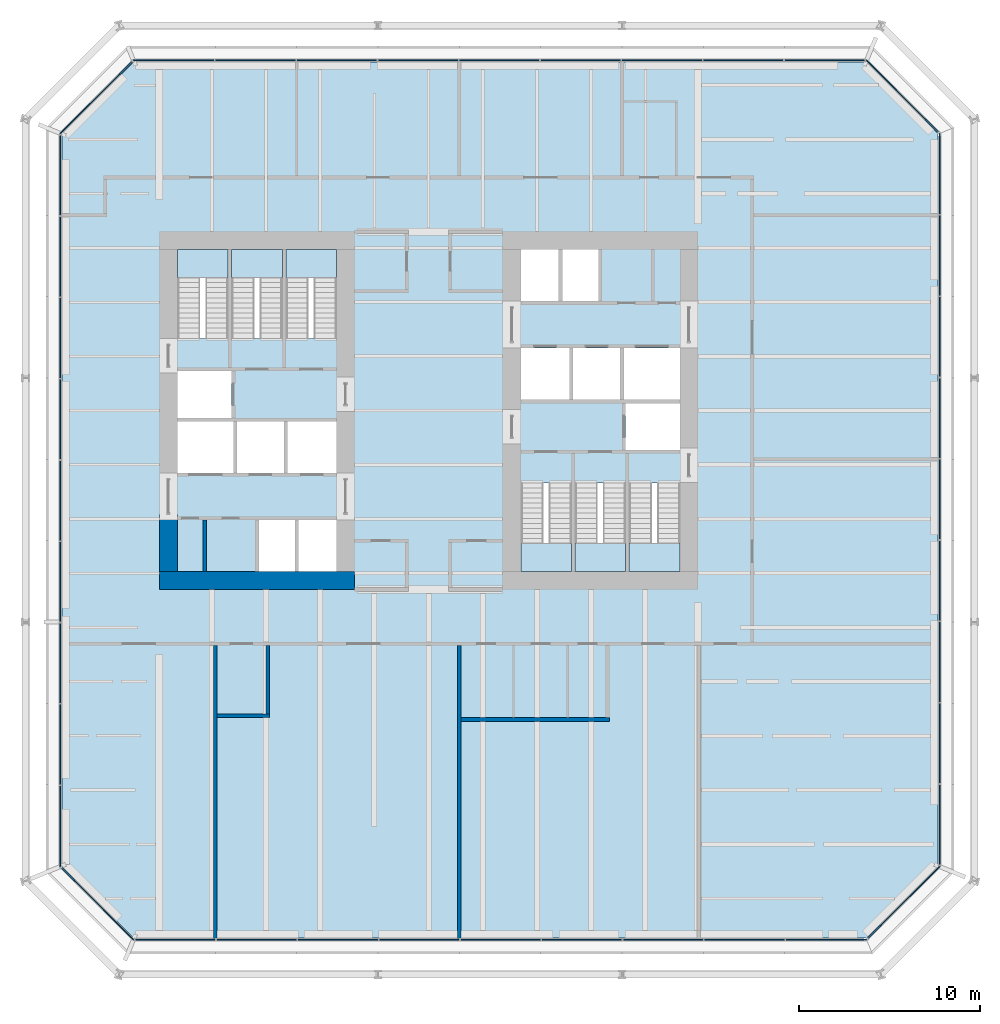
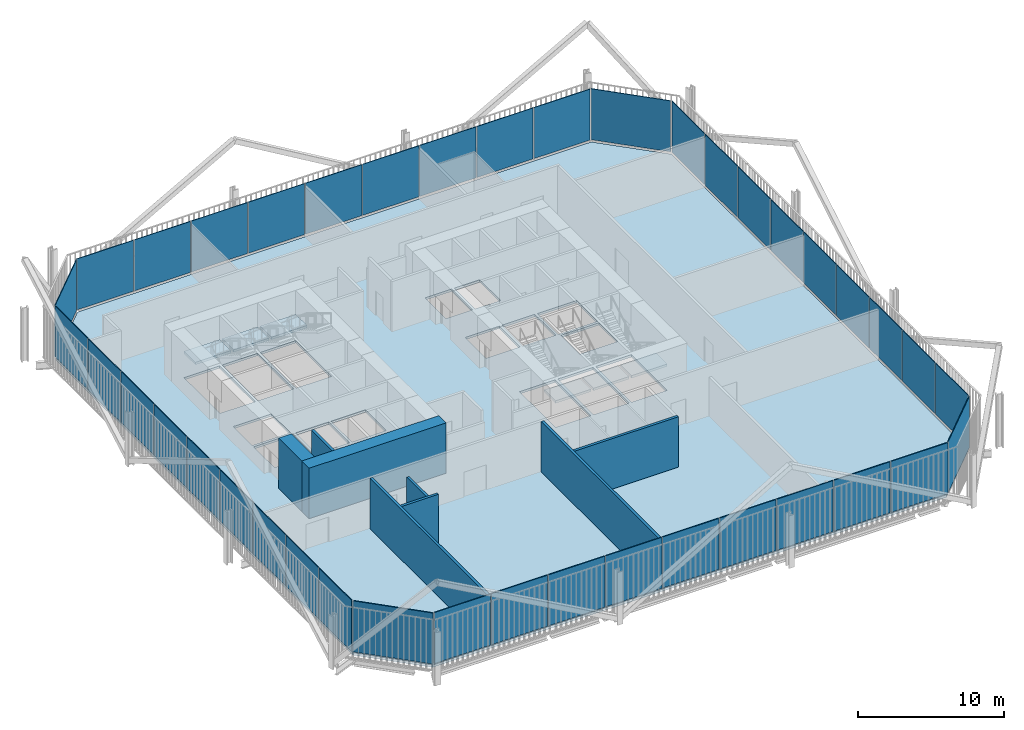
# One storey, part 16 of 21: 40 plates, 8 walls, 7 slabs, 14 elements without a shape of their own.
"""IFC4 building model written with IfcOpenShell, lengths in metres."""

from ifc_helpers import new_model, si_unit, direction, frame, frame_2d, origin, place, context, subcontext, project, spatial, polyline, rectangle, outline, extrude, material, layer, layer_set, type_object, element, aggregate, save


model = new_model("IFC4")

# Units and contexts
model_context = context("Model", 3, precision=1e-05, world=origin(), true_north=direction((0.0, 1.0)))
body_context = subcontext(model_context, "Body", "Model", "MODEL_VIEW")
ifc_project = project(units=[si_unit("LENGTHUNIT", "METRE"), si_unit("AREAUNIT", "SQUARE_METRE"), si_unit("VOLUMEUNIT", "CUBIC_METRE"), si_unit("PLANEANGLEUNIT", "RADIAN"), si_unit("MASSUNIT", "GRAM", prefix="KILO")], contexts=[model_context])

# Site, building, storey
site_placement = place(None, origin())
site = spatial("IfcSite", under=ifc_project, at=site_placement, CompositionType="ELEMENT")
building_placement = place(site_placement, origin())
building = spatial("IfcBuilding", under=site, at=building_placement, Name="Millrace Tower", CompositionType="ELEMENT")
storey_placement = place(building_placement, frame((0.0, 0.0, 73.199951171875)))
storey = spatial("IfcBuildingStorey", under=building, at=storey_placement, Name="L16", CompositionType="ELEMENT", Elevation=73.199951171875)

# Curtain wall, plate
ifc_material_1 = material(Name="Aluminium and glass", Category="aluminium")
ifc_layer_1 = layer(ifc_material_1, 0.14990234375)
ifc_layer_set_1 = layer_set([ifc_layer_1], Name="Aluminium and glass")
curtain_wall_type = type_object("IfcCurtainWallType", Name="CW-3 telecom floor curtain wall", PredefinedType="NOTDEFINED", material=ifc_layer_set_1)
placement_1 = place(storey_placement, origin())
curtain_wall_1 = element("IfcCurtainWall", 1, at=placement_1, inside=storey, type_object=curtain_wall_type, Name="Curtain wall B-F01 L16", PredefinedType="NOTDEFINED")
ifc_material_2 = material(Name="Glass", Category="glass")
ifc_layer_2 = layer(ifc_material_2, 0.06005859375)
ifc_layer_set_2 = layer_set([ifc_layer_2], Name="Glass")
plate_type = type_object("IfcPlateType", Name="CW-3 telecom floor curtain wall triple-glazed panel with spandrel", PredefinedType="CURTAIN_PANEL", material=ifc_layer_set_2)
placement_2 = place(storey_placement, frame((0.0, 0.0, 0.150146484375)))
plate_1 = element("IfcPlate", 2, at=placement_2, type_object=plate_type, Name="CW3 panel B-F01.1", PredefinedType="CURTAIN_PANEL", context=body_context, shape_type="SweptSolid", body=[
    extrude(outline(polyline([(-20.328369140625, -25.3203125), (-16.343505859375, -29.304931640625), (-16.318603515625, -29.2451171875), (-20.285888671875, -25.27783203125), (-20.328369140625, -25.3203125)])), origin(), (0.0, 0.0, 1.0), 4.25),
])
aggregate(curtain_wall_1, [plate_1])

# Curtain wall, plates
curtain_wall_2 = element("IfcCurtainWall", 3, at=placement_1, inside=storey, type_object=curtain_wall_type, Name="Curtain wall B-F02 L16", PredefinedType="NOTDEFINED")
plate_2 = element("IfcPlate", 4, at=placement_2, type_object=plate_type, Name="CW3 panel B-F02.1", PredefinedType="CURTAIN_PANEL", context=body_context, shape_type="SweptSolid", body=[
    extrude(outline(polyline([(-16.235107421875, -29.304931640625), (-11.800048828125, -29.304931640625), (-11.800048828125, -29.2451171875), (-16.235107421875, -29.2451171875), (-16.235107421875, -29.304931640625)])), origin(), (0.0, 0.0, 1.0), 4.25),
])
plate_3 = element("IfcPlate", 5, at=placement_2, type_object=plate_type, Name="CW3 panel B-F02.2", PredefinedType="CURTAIN_PANEL", context=body_context, shape_type="SweptSolid", body=[
    extrude(outline(polyline([(-11.735107421875, -29.304931640625), (-7.300048828125, -29.304931640625), (-7.300048828125, -29.2451171875), (-11.735107421875, -29.2451171875), (-11.735107421875, -29.304931640625)])), origin(), (0.0, 0.0, 1.0), 4.25),
])
plate_4 = element("IfcPlate", 6, at=placement_2, type_object=plate_type, Name="CW3 panel B-F02.3", PredefinedType="CURTAIN_PANEL", context=body_context, shape_type="SweptSolid", body=[
    extrude(outline(polyline([(-7.235107421875, -29.304931640625), (-2.800048828125, -29.304931640625), (-2.800048828125, -29.2451171875), (-7.235107421875, -29.2451171875), (-7.235107421875, -29.304931640625)])), origin(), (0.0, 0.0, 1.0), 4.25),
])
plate_5 = element("IfcPlate", 7, at=placement_2, type_object=plate_type, Name="CW3 panel B-F02.4", PredefinedType="CURTAIN_PANEL", context=body_context, shape_type="SweptSolid", body=[
    extrude(outline(polyline([(-2.735107421875, -29.304931640625), (1.699951171875, -29.304931640625), (1.699951171875, -29.2451171875), (-2.735107421875, -29.2451171875), (-2.735107421875, -29.304931640625)])), origin(), (0.0, 0.0, 1.0), 4.25),
])
plate_6 = element("IfcPlate", 8, at=placement_2, type_object=plate_type, Name="CW3 panel B-F02.5", PredefinedType="CURTAIN_PANEL", context=body_context, shape_type="SweptSolid", body=[
    extrude(outline(polyline([(1.764892578125, -29.304931640625), (6.199951171875, -29.304931640625), (6.199951171875, -29.2451171875), (1.764892578125, -29.2451171875), (1.764892578125, -29.304931640625)])), origin(), (0.0, 0.0, 1.0), 4.25),
])
plate_7 = element("IfcPlate", 9, at=placement_2, type_object=plate_type, Name="CW3 panel B-F02.6", PredefinedType="CURTAIN_PANEL", context=body_context, shape_type="SweptSolid", body=[
    extrude(outline(polyline([(6.264892578125, -29.304931640625), (10.699951171875, -29.304931640625), (10.699951171875, -29.2451171875), (6.264892578125, -29.2451171875), (6.264892578125, -29.304931640625)])), origin(), (0.0, 0.0, 1.0), 4.25),
])
plate_8 = element("IfcPlate", 10, at=placement_2, type_object=plate_type, Name="CW3 panel B-F02.7", PredefinedType="CURTAIN_PANEL", context=body_context, shape_type="SweptSolid", body=[
    extrude(outline(polyline([(10.764892578125, -29.304931640625), (15.199951171875, -29.304931640625), (15.199951171875, -29.2451171875), (10.764892578125, -29.2451171875), (10.764892578125, -29.304931640625)])), origin(), (0.0, 0.0, 1.0), 4.25),
])
plate_9 = element("IfcPlate", 11, at=placement_2, type_object=plate_type, Name="CW3 panel B-F02.8", PredefinedType="CURTAIN_PANEL", context=body_context, shape_type="SweptSolid", body=[
    extrude(outline(polyline([(15.264892578125, -29.304931640625), (19.699951171875, -29.304931640625), (19.699951171875, -29.2451171875), (15.264892578125, -29.2451171875), (15.264892578125, -29.304931640625)])), origin(), (0.0, 0.0, 1.0), 4.25),
])
plate_10 = element("IfcPlate", 12, at=placement_2, type_object=plate_type, Name="CW3 panel B-F02.9", PredefinedType="CURTAIN_PANEL", context=body_context, shape_type="SweptSolid", body=[
    extrude(outline(polyline([(19.764892578125, -29.304931640625), (24.243408203125, -29.304931640625), (24.21875, -29.2451171875), (19.764892578125, -29.2451171875), (19.764892578125, -29.304931640625)])), origin(), (0.0, 0.0, 1.0), 4.25),
])
aggregate(curtain_wall_2, [plate_2, plate_3, plate_4, plate_5, plate_6, plate_7, plate_8, plate_9, plate_10])

# Curtain wall, plate
curtain_wall_3 = element("IfcCurtainWall", 13, at=placement_1, inside=storey, type_object=curtain_wall_type, Name="Curtain wall B-F03 L16", PredefinedType="NOTDEFINED")
plate_11 = element("IfcPlate", 14, at=placement_2, type_object=plate_type, Name="CW3 panel B-F03.1", PredefinedType="CURTAIN_PANEL", context=body_context, shape_type="SweptSolid", body=[
    extrude(outline(polyline([(24.3203125, -29.228271484375), (28.304931640625, -25.243408203125), (28.2451171875, -25.21875), (24.27783203125, -29.185791015625), (24.3203125, -29.228271484375)])), origin(), (0.0, 0.0, 1.0), 4.25),
])
aggregate(curtain_wall_3, [plate_11])

# Curtain wall, plates
curtain_wall_4 = element("IfcCurtainWall", 15, at=placement_1, inside=storey, type_object=curtain_wall_type, Name="Curtain wall B-F04 L16", PredefinedType="NOTDEFINED")
plate_12 = element("IfcPlate", 16, at=placement_2, type_object=plate_type, Name="CW3 panel B-F04.1", PredefinedType="CURTAIN_PANEL", context=body_context, shape_type="SweptSolid", body=[
    extrude(outline(polyline([(28.304931640625, -25.135009765625), (28.304931640625, -20.699951171875), (28.2451171875, -20.699951171875), (28.2451171875, -25.135009765625), (28.304931640625, -25.135009765625)])), origin(), (0.0, 0.0, 1.0), 4.25),
])
plate_13 = element("IfcPlate", 17, at=placement_2, type_object=plate_type, Name="CW3 panel B-F04.2", PredefinedType="CURTAIN_PANEL", context=body_context, shape_type="SweptSolid", body=[
    extrude(outline(polyline([(28.304931640625, -20.635009765625), (28.304931640625, -16.199951171875), (28.2451171875, -16.199951171875), (28.2451171875, -20.635009765625), (28.304931640625, -20.635009765625)])), origin(), (0.0, 0.0, 1.0), 4.25),
])
plate_14 = element("IfcPlate", 18, at=placement_2, type_object=plate_type, Name="CW3 panel B-F04.3", PredefinedType="CURTAIN_PANEL", context=body_context, shape_type="SweptSolid", body=[
    extrude(outline(polyline([(28.304931640625, -16.135009765625), (28.304931640625, -11.699951171875), (28.2451171875, -11.699951171875), (28.2451171875, -16.135009765625), (28.304931640625, -16.135009765625)])), origin(), (0.0, 0.0, 1.0), 4.25),
])
plate_15 = element("IfcPlate", 19, at=placement_2, type_object=plate_type, Name="CW3 panel B-F04.4", PredefinedType="CURTAIN_PANEL", context=body_context, shape_type="SweptSolid", body=[
    extrude(outline(polyline([(28.304931640625, -11.635009765625), (28.304931640625, -7.199951171875), (28.2451171875, -7.199951171875), (28.2451171875, -11.635009765625), (28.304931640625, -11.635009765625)])), origin(), (0.0, 0.0, 1.0), 4.25),
])
plate_16 = element("IfcPlate", 20, at=placement_2, type_object=plate_type, Name="CW3 panel B-F04.5", PredefinedType="CURTAIN_PANEL", context=body_context, shape_type="SweptSolid", body=[
    extrude(outline(polyline([(28.304931640625, -7.135009765625), (28.304931640625, -2.699951171875), (28.2451171875, -2.699951171875), (28.2451171875, -7.135009765625), (28.304931640625, -7.135009765625)])), origin(), (0.0, 0.0, 1.0), 4.25),
])
plate_17 = element("IfcPlate", 21, at=placement_2, type_object=plate_type, Name="CW3 panel B-F04.6", PredefinedType="CURTAIN_PANEL", context=body_context, shape_type="SweptSolid", body=[
    extrude(outline(polyline([(28.304931640625, -2.635009765625), (28.304931640625, 1.800048828125), (28.2451171875, 1.800048828125), (28.2451171875, -2.635009765625), (28.304931640625, -2.635009765625)])), origin(), (0.0, 0.0, 1.0), 4.25),
])
plate_18 = element("IfcPlate", 22, at=placement_2, type_object=plate_type, Name="CW3 panel B-F04.7", PredefinedType="CURTAIN_PANEL", context=body_context, shape_type="SweptSolid", body=[
    extrude(outline(polyline([(28.304931640625, 1.864990234375), (28.304931640625, 6.300048828125), (28.2451171875, 6.300048828125), (28.2451171875, 1.864990234375), (28.304931640625, 1.864990234375)])), origin(), (0.0, 0.0, 1.0), 4.25),
])
plate_19 = element("IfcPlate", 23, at=placement_2, type_object=plate_type, Name="CW3 panel B-F04.8", PredefinedType="CURTAIN_PANEL", context=body_context, shape_type="SweptSolid", body=[
    extrude(outline(polyline([(28.304931640625, 6.364990234375), (28.304931640625, 10.800048828125), (28.2451171875, 10.800048828125), (28.2451171875, 6.364990234375), (28.304931640625, 6.364990234375)])), origin(), (0.0, 0.0, 1.0), 4.25),
])
plate_20 = element("IfcPlate", 24, at=placement_2, type_object=plate_type, Name="CW3 panel B-F04.9", PredefinedType="CURTAIN_PANEL", context=body_context, shape_type="SweptSolid", body=[
    extrude(outline(polyline([(28.304931640625, 10.864990234375), (28.304931640625, 15.343505859375), (28.2451171875, 15.318603515625), (28.2451171875, 10.864990234375), (28.304931640625, 10.864990234375)])), origin(), (0.0, 0.0, 1.0), 4.25),
])
aggregate(curtain_wall_4, [plate_12, plate_13, plate_14, plate_15, plate_16, plate_17, plate_18, plate_19, plate_20])

# Curtain wall, plate
curtain_wall_5 = element("IfcCurtainWall", 25, at=placement_1, inside=storey, type_object=curtain_wall_type, Name="Curtain wall B-F05 L16", PredefinedType="NOTDEFINED")
plate_21 = element("IfcPlate", 26, at=placement_2, type_object=plate_type, Name="CW3 panel B-F05.1", PredefinedType="CURTAIN_PANEL", context=body_context, shape_type="SweptSolid", body=[
    extrude(outline(polyline([(28.228271484375, 15.420166015625), (24.243408203125, 19.405029296875), (24.21875, 19.344970703125), (28.185791015625, 15.377685546875), (28.228271484375, 15.420166015625)])), origin(), (0.0, 0.0, 1.0), 4.25),
])
aggregate(curtain_wall_5, [plate_21])

# Curtain wall, plates
curtain_wall_6 = element("IfcCurtainWall", 27, at=placement_1, inside=storey, type_object=curtain_wall_type, Name="Curtain wall B-F06 L16", PredefinedType="NOTDEFINED")
plate_22 = element("IfcPlate", 28, at=placement_2, type_object=plate_type, Name="CW3 panel B-F06.1", PredefinedType="CURTAIN_PANEL", context=body_context, shape_type="SweptSolid", body=[
    extrude(outline(polyline([(24.135009765625, 19.405029296875), (19.699951171875, 19.405029296875), (19.699951171875, 19.344970703125), (24.135009765625, 19.344970703125), (24.135009765625, 19.405029296875)])), origin(), (0.0, 0.0, 1.0), 4.25),
])
plate_23 = element("IfcPlate", 29, at=placement_2, type_object=plate_type, Name="CW3 panel B-F06.2", PredefinedType="CURTAIN_PANEL", context=body_context, shape_type="SweptSolid", body=[
    extrude(outline(polyline([(19.635009765625, 19.405029296875), (15.199951171875, 19.405029296875), (15.199951171875, 19.344970703125), (19.635009765625, 19.344970703125), (19.635009765625, 19.405029296875)])), origin(), (0.0, 0.0, 1.0), 4.25),
])
plate_24 = element("IfcPlate", 30, at=placement_2, type_object=plate_type, Name="CW3 panel B-F06.3", PredefinedType="CURTAIN_PANEL", context=body_context, shape_type="SweptSolid", body=[
    extrude(outline(polyline([(15.135009765625, 19.405029296875), (10.699951171875, 19.405029296875), (10.699951171875, 19.344970703125), (15.135009765625, 19.344970703125), (15.135009765625, 19.405029296875)])), origin(), (0.0, 0.0, 1.0), 4.25),
])
plate_25 = element("IfcPlate", 31, at=placement_2, type_object=plate_type, Name="CW3 panel B-F06.4", PredefinedType="CURTAIN_PANEL", context=body_context, shape_type="SweptSolid", body=[
    extrude(outline(polyline([(10.635009765625, 19.405029296875), (6.199951171875, 19.405029296875), (6.199951171875, 19.344970703125), (10.635009765625, 19.344970703125), (10.635009765625, 19.405029296875)])), origin(), (0.0, 0.0, 1.0), 4.25),
])
plate_26 = element("IfcPlate", 32, at=placement_2, type_object=plate_type, Name="CW3 panel B-F06.5", PredefinedType="CURTAIN_PANEL", context=body_context, shape_type="SweptSolid", body=[
    extrude(outline(polyline([(6.135009765625, 19.405029296875), (1.699951171875, 19.405029296875), (1.699951171875, 19.344970703125), (6.135009765625, 19.344970703125), (6.135009765625, 19.405029296875)])), origin(), (0.0, 0.0, 1.0), 4.25),
])
plate_27 = element("IfcPlate", 33, at=placement_2, type_object=plate_type, Name="CW3 panel B-F06.6", PredefinedType="CURTAIN_PANEL", context=body_context, shape_type="SweptSolid", body=[
    extrude(outline(polyline([(1.635009765625, 19.405029296875), (-2.800048828125, 19.405029296875), (-2.800048828125, 19.344970703125), (1.635009765625, 19.344970703125), (1.635009765625, 19.405029296875)])), origin(), (0.0, 0.0, 1.0), 4.25),
])
plate_28 = element("IfcPlate", 34, at=placement_2, type_object=plate_type, Name="CW3 panel B-F06.7", PredefinedType="CURTAIN_PANEL", context=body_context, shape_type="SweptSolid", body=[
    extrude(outline(polyline([(-2.864990234375, 19.405029296875), (-7.300048828125, 19.405029296875), (-7.300048828125, 19.344970703125), (-2.864990234375, 19.344970703125), (-2.864990234375, 19.405029296875)])), origin(), (0.0, 0.0, 1.0), 4.25),
])
plate_29 = element("IfcPlate", 35, at=placement_2, type_object=plate_type, Name="CW3 panel B-F06.8", PredefinedType="CURTAIN_PANEL", context=body_context, shape_type="SweptSolid", body=[
    extrude(outline(polyline([(-7.364990234375, 19.405029296875), (-11.800048828125, 19.405029296875), (-11.800048828125, 19.344970703125), (-7.364990234375, 19.344970703125), (-7.364990234375, 19.405029296875)])), origin(), (0.0, 0.0, 1.0), 4.25),
])
plate_30 = element("IfcPlate", 36, at=placement_2, type_object=plate_type, Name="CW3 panel B-F06.9", PredefinedType="CURTAIN_PANEL", context=body_context, shape_type="SweptSolid", body=[
    extrude(outline(polyline([(-11.864990234375, 19.405029296875), (-16.343505859375, 19.405029296875), (-16.318603515625, 19.344970703125), (-11.864990234375, 19.344970703125), (-11.864990234375, 19.405029296875)])), origin(), (0.0, 0.0, 1.0), 4.25),
])
aggregate(curtain_wall_6, [plate_22, plate_23, plate_24, plate_25, plate_26, plate_27, plate_28, plate_29, plate_30])

# Curtain wall, plate
curtain_wall_7 = element("IfcCurtainWall", 37, at=placement_1, inside=storey, type_object=curtain_wall_type, Name="Curtain wall B-F07 L16", PredefinedType="NOTDEFINED")
plate_31 = element("IfcPlate", 38, at=placement_2, type_object=plate_type, Name="CW3 panel B-F07.1", PredefinedType="CURTAIN_PANEL", context=body_context, shape_type="SweptSolid", body=[
    extrude(outline(polyline([(-16.420166015625, 19.328369140625), (-20.405029296875, 15.343505859375), (-20.344970703125, 15.318603515625), (-16.377685546875, 19.285888671875), (-16.420166015625, 19.328369140625)])), origin(), (0.0, 0.0, 1.0), 4.25),
])
aggregate(curtain_wall_7, [plate_31])

# Curtain wall, plates
curtain_wall_8 = element("IfcCurtainWall", 39, at=placement_1, inside=storey, type_object=curtain_wall_type, Name="Curtain wall B-F08 L16", PredefinedType="NOTDEFINED")
plate_32 = element("IfcPlate", 40, at=placement_2, type_object=plate_type, Name="CW3 panel B-F08.1", PredefinedType="CURTAIN_PANEL", context=body_context, shape_type="SweptSolid", body=[
    extrude(outline(polyline([(-20.405029296875, 15.235107421875), (-20.405029296875, 10.800048828125), (-20.344970703125, 10.800048828125), (-20.344970703125, 15.235107421875), (-20.405029296875, 15.235107421875)])), origin(), (0.0, 0.0, 1.0), 4.25),
])
plate_33 = element("IfcPlate", 41, at=placement_2, type_object=plate_type, Name="CW3 panel B-F08.2", PredefinedType="CURTAIN_PANEL", context=body_context, shape_type="SweptSolid", body=[
    extrude(outline(polyline([(-20.405029296875, 10.735107421875), (-20.405029296875, 6.300048828125), (-20.344970703125, 6.300048828125), (-20.344970703125, 10.735107421875), (-20.405029296875, 10.735107421875)])), origin(), (0.0, 0.0, 1.0), 4.25),
])
plate_34 = element("IfcPlate", 42, at=placement_2, type_object=plate_type, Name="CW3 panel B-F08.3", PredefinedType="CURTAIN_PANEL", context=body_context, shape_type="SweptSolid", body=[
    extrude(outline(polyline([(-20.405029296875, 6.235107421875), (-20.405029296875, 1.800048828125), (-20.344970703125, 1.800048828125), (-20.344970703125, 6.235107421875), (-20.405029296875, 6.235107421875)])), origin(), (0.0, 0.0, 1.0), 4.25),
])
plate_35 = element("IfcPlate", 43, at=placement_2, type_object=plate_type, Name="CW3 panel B-F08.4", PredefinedType="CURTAIN_PANEL", context=body_context, shape_type="SweptSolid", body=[
    extrude(outline(polyline([(-20.405029296875, 1.735107421875), (-20.405029296875, -2.699951171875), (-20.344970703125, -2.699951171875), (-20.344970703125, 1.735107421875), (-20.405029296875, 1.735107421875)])), origin(), (0.0, 0.0, 1.0), 4.25),
])
plate_36 = element("IfcPlate", 44, at=placement_2, type_object=plate_type, Name="CW3 panel B-F08.5", PredefinedType="CURTAIN_PANEL", context=body_context, shape_type="SweptSolid", body=[
    extrude(outline(polyline([(-20.405029296875, -2.764892578125), (-20.405029296875, -7.199951171875), (-20.344970703125, -7.199951171875), (-20.344970703125, -2.764892578125), (-20.405029296875, -2.764892578125)])), origin(), (0.0, 0.0, 1.0), 4.25),
])
plate_37 = element("IfcPlate", 45, at=placement_2, type_object=plate_type, Name="CW3 panel B-F08.6", PredefinedType="CURTAIN_PANEL", context=body_context, shape_type="SweptSolid", body=[
    extrude(outline(polyline([(-20.405029296875, -7.264892578125), (-20.405029296875, -11.699951171875), (-20.344970703125, -11.699951171875), (-20.344970703125, -7.264892578125), (-20.405029296875, -7.264892578125)])), origin(), (0.0, 0.0, 1.0), 4.25),
])
plate_38 = element("IfcPlate", 46, at=placement_2, type_object=plate_type, Name="CW3 panel B-F08.7", PredefinedType="CURTAIN_PANEL", context=body_context, shape_type="SweptSolid", body=[
    extrude(outline(polyline([(-20.405029296875, -11.764892578125), (-20.405029296875, -16.199951171875), (-20.344970703125, -16.199951171875), (-20.344970703125, -11.764892578125), (-20.405029296875, -11.764892578125)])), origin(), (0.0, 0.0, 1.0), 4.25),
])
plate_39 = element("IfcPlate", 47, at=placement_2, type_object=plate_type, Name="CW3 panel B-F08.8", PredefinedType="CURTAIN_PANEL", context=body_context, shape_type="SweptSolid", body=[
    extrude(outline(polyline([(-20.405029296875, -16.264892578125), (-20.405029296875, -20.699951171875), (-20.344970703125, -20.699951171875), (-20.344970703125, -16.264892578125), (-20.405029296875, -16.264892578125)])), origin(), (0.0, 0.0, 1.0), 4.25),
])
plate_40 = element("IfcPlate", 48, at=placement_2, type_object=plate_type, Name="CW3 panel B-F08.9", PredefinedType="CURTAIN_PANEL", context=body_context, shape_type="SweptSolid", body=[
    extrude(outline(polyline([(-20.405029296875, -20.764892578125), (-20.405029296875, -25.243408203125), (-20.344970703125, -25.21875), (-20.344970703125, -20.764892578125), (-20.405029296875, -20.764892578125)])), origin(), (0.0, 0.0, 1.0), 4.25),
])
aggregate(curtain_wall_8, [plate_32, plate_33, plate_34, plate_35, plate_36, plate_37, plate_38, plate_39, plate_40])

# Slab
ifc_material_3 = material(Name="Concrete C35 on steel deck", Category="concrete")
ifc_layer_3 = layer(ifc_material_3, 0.199951171875)
ifc_layer_set_3 = layer_set([ifc_layer_3], Name="Concrete C35 on steel deck")
slab_type_1 = type_object("IfcSlabType", Name="Composite floor slab 200 mm", PredefinedType="FLOOR", material=ifc_layer_set_3)
slab_1_placement = place(storey_placement, frame((0.0, 0.0, -0.199951171875)))
element("IfcSlab", 49, at=slab_1_placement, inside=storey, type_object=slab_type_1, Name="SL-B-L16-S1", PredefinedType="FLOOR", context=body_context, shape_type="SweptSolid", body=[
    extrude(outline(polyline([(-20.300048828125, -25.199951171875), (-16.300048828125, -29.199951171875), (24.199951171875, -29.199951171875), (28.199951171875, -25.199951171875), (28.199951171875, 15.300048828125), (24.199951171875, 19.300048828125), (-16.300048828125, 19.300048828125), (-20.300048828125, 15.300048828125), (-20.300048828125, -25.199951171875)]), holes=[polyline([(-9.39990234375, -8.89990234375), (-7.39990234375, -8.89990234375), (-7.39990234375, -6.050048828125), (-9.39990234375, -6.050048828125), (-9.39990234375, -8.89990234375)]), polyline([(-7.199951171875, -8.89990234375), (-5.10009765625, -8.89990234375), (-5.10009765625, -6.050048828125), (-7.199951171875, -6.050048828125), (-7.199951171875, -8.89990234375)]), polyline([(-13.89990234375, -3.449951171875), (-10.800048828125, -3.449951171875), (-10.800048828125, -0.60009765625), (-13.89990234375, -0.60009765625), (-13.89990234375, -3.449951171875)]), polyline([(-10.60009765625, -3.449951171875), (-8.0, -3.449951171875), (-8.0, -0.60009765625), (-10.60009765625, -0.60009765625), (-10.60009765625, -3.449951171875)]), polyline([(-7.800048828125, -3.449951171875), (-5.10009765625, -3.449951171875), (-5.10009765625, -0.60009765625), (-7.800048828125, -0.60009765625), (-7.800048828125, -3.449951171875)]), polyline([(-13.89990234375, -0.39990234375), (-10.89990234375, -0.39990234375), (-10.89990234375, 2.179931640625), (-13.89990234375, 2.179931640625), (-13.89990234375, -0.39990234375)]), polyline([(-13.89990234375, 4.0), (-11.10009765625, 4.0), (-11.10009765625, 8.89990234375), (-13.89990234375, 8.89990234375), (-13.89990234375, 4.0)]), polyline([(-10.89990234375, 4.0), (-8.10009765625, 4.0), (-8.10009765625, 8.89990234375), (-10.89990234375, 8.89990234375), (-10.89990234375, 4.0)]), polyline([(-7.89990234375, 4.0), (-5.10009765625, 4.0), (-5.10009765625, 8.89990234375), (-7.89990234375, 8.89990234375), (-7.89990234375, 4.0)]), polyline([(7.39990234375, 6.050048828125), (9.39990234375, 6.050048828125), (9.39990234375, 8.89990234375), (7.39990234375, 8.89990234375), (7.39990234375, 6.050048828125)]), polyline([(5.10009765625, 6.050048828125), (7.199951171875, 6.050048828125), (7.199951171875, 8.89990234375), (5.10009765625, 8.89990234375), (5.10009765625, 6.050048828125)]), polyline([(10.800048828125, 0.60009765625), (13.89990234375, 0.60009765625), (13.89990234375, 3.449951171875), (10.800048828125, 3.449951171875), (10.800048828125, 0.60009765625)]), polyline([(8.0, 0.60009765625), (10.60009765625, 0.60009765625), (10.60009765625, 3.449951171875), (8.0, 3.449951171875), (8.0, 0.60009765625)]), polyline([(5.10009765625, 0.60009765625), (7.800048828125, 0.60009765625), (7.800048828125, 3.449951171875), (5.10009765625, 3.449951171875), (5.10009765625, 0.60009765625)]), polyline([(10.89990234375, -2.179931640625), (13.89990234375, -2.179931640625), (13.89990234375, 0.39990234375), (10.89990234375, 0.39990234375), (10.89990234375, -2.179931640625)]), polyline([(11.10009765625, -8.89990234375), (13.89990234375, -8.89990234375), (13.89990234375, -4.0), (11.10009765625, -4.0), (11.10009765625, -8.89990234375)]), polyline([(8.10009765625, -8.89990234375), (10.89990234375, -8.89990234375), (10.89990234375, -4.0), (8.10009765625, -4.0), (8.10009765625, -8.89990234375)]), polyline([(5.10009765625, -8.89990234375), (7.89990234375, -8.89990234375), (7.89990234375, -4.0), (5.10009765625, -4.0), (5.10009765625, -8.89990234375)])]), origin(), (0.0, 0.0, 1.0), 0.199951171875),
])

# Stair, slab
ifc_material_4 = material(Name="Concrete C35", Category="concrete")
stair_type = type_object("IfcStairType", Name="Exit stair", PredefinedType="HALF_TURN_STAIR", material=ifc_material_4)
stair_1 = element("IfcStair", 50, at=placement_1, inside=storey, type_object=stair_type, Name="Stair 1 W L16", PredefinedType="HALF_TURN_STAIR")
ifc_material_5 = material(Name="Concrete C40", Category="concrete")
ifc_layer_4 = layer(ifc_material_5, 0.199951171875)
ifc_layer_set_4 = layer_set([ifc_layer_4], Name="Concrete C40")
slab_type_2 = type_object("IfcSlabType", Name="Stair landing", PredefinedType="LANDING", material=ifc_layer_set_4)
placement_3 = place(storey_placement, frame((0.0, 0.0, 2.0)))
slab_2 = element("IfcSlab", 51, at=placement_3, type_object=slab_type_2, Name="ST12 landing 1", PredefinedType="LANDING", context=body_context, shape_type="SweptSolid", body=[
    extrude(outline(polyline([(-13.89990234375, 7.360107421875), (-11.10009765625, 7.360107421875), (-11.10009765625, 8.89990234375), (-13.89990234375, 8.89990234375), (-13.89990234375, 7.360107421875)])), origin(), (0.0, 0.0, 1.0), 0.199951171875),
])
aggregate(stair_1, [slab_2])

stair_2 = element("IfcStair", 52, at=placement_1, inside=storey, type_object=stair_type, Name="Stair 2 W L16", PredefinedType="HALF_TURN_STAIR")
slab_3 = element("IfcSlab", 53, at=placement_3, type_object=slab_type_2, Name="ST12 landing 1", PredefinedType="LANDING", context=body_context, shape_type="SweptSolid", body=[
    extrude(outline(polyline([(-10.89990234375, 7.360107421875), (-8.10009765625, 7.360107421875), (-8.10009765625, 8.89990234375), (-10.89990234375, 8.89990234375), (-10.89990234375, 7.360107421875)])), origin(), (0.0, 0.0, 1.0), 0.199951171875),
])
aggregate(stair_2, [slab_3])

stair_3 = element("IfcStair", 54, at=placement_1, inside=storey, type_object=stair_type, Name="Stair 3 W L16", PredefinedType="HALF_TURN_STAIR")
slab_4 = element("IfcSlab", 55, at=placement_3, type_object=slab_type_2, Name="ST12 landing 1", PredefinedType="LANDING", context=body_context, shape_type="SweptSolid", body=[
    extrude(outline(polyline([(-7.89990234375, 7.360107421875), (-5.10009765625, 7.360107421875), (-5.10009765625, 8.89990234375), (-7.89990234375, 8.89990234375), (-7.89990234375, 7.360107421875)])), origin(), (0.0, 0.0, 1.0), 0.199951171875),
])
aggregate(stair_3, [slab_4])

stair_4 = element("IfcStair", 56, at=placement_1, inside=storey, type_object=stair_type, Name="Stair 1 E L16", PredefinedType="HALF_TURN_STAIR")
slab_5 = element("IfcSlab", 57, at=placement_3, type_object=slab_type_2, Name="ST12 landing 1", PredefinedType="LANDING", context=body_context, shape_type="SweptSolid", body=[
    extrude(outline(polyline([(11.10009765625, -8.89990234375), (13.89990234375, -8.89990234375), (13.89990234375, -7.360107421875), (11.10009765625, -7.360107421875), (11.10009765625, -8.89990234375)])), origin(), (0.0, 0.0, 1.0), 0.199951171875),
])
aggregate(stair_4, [slab_5])

stair_5 = element("IfcStair", 58, at=placement_1, inside=storey, type_object=stair_type, Name="Stair 2 E L16", PredefinedType="HALF_TURN_STAIR")
slab_6 = element("IfcSlab", 59, at=placement_3, type_object=slab_type_2, Name="ST12 landing 1", PredefinedType="LANDING", context=body_context, shape_type="SweptSolid", body=[
    extrude(outline(polyline([(8.10009765625, -8.89990234375), (10.89990234375, -8.89990234375), (10.89990234375, -7.360107421875), (8.10009765625, -7.360107421875), (8.10009765625, -8.89990234375)])), origin(), (0.0, 0.0, 1.0), 0.199951171875),
])
aggregate(stair_5, [slab_6])

stair_6 = element("IfcStair", 60, at=placement_1, inside=storey, type_object=stair_type, Name="Stair 3 E L16", PredefinedType="HALF_TURN_STAIR")
slab_7 = element("IfcSlab", 61, at=placement_3, type_object=slab_type_2, Name="ST12 landing 1", PredefinedType="LANDING", context=body_context, shape_type="SweptSolid", body=[
    extrude(outline(polyline([(5.10009765625, -8.89990234375), (7.89990234375, -8.89990234375), (7.89990234375, -7.360107421875), (5.10009765625, -7.360107421875), (5.10009765625, -8.89990234375)])), origin(), (0.0, 0.0, 1.0), 0.199951171875),
])
aggregate(stair_6, [slab_7])

# Walls
ifc_material_6 = material(Name="Concrete C80", Category="concrete")
ifc_layer_5 = layer(ifc_material_6, 1.0)
ifc_layer_set_5 = layer_set([ifc_layer_5], Name="Concrete C80")
wall_type_1 = type_object("IfcWallType", Name="Core wall 1000 Concrete C80", PredefinedType="SHEAR", material=ifc_layer_set_5)
wall_1_placement = place(storey_placement, frame((-14.89990234375, -9.39990234375, 0.0), z_axis=(0.0, 0.0, 1.0), x_axis=(1.0, 0.0, 0.0)))
element("IfcWall", 62, at=wall_1_placement, inside=storey, type_object=wall_type_1, Name="Core wall W L16", PredefinedType="SHEAR", context=body_context, shape_type="SweptSolid", body=[
    extrude(rectangle(XDim=10.7998046875, YDim=1.0, at=frame_2d((5.39990234375, 0.0))), origin(), (0.0, 0.0, 1.0), 4.199951171875),
])
wall_2_placement = place(storey_placement, frame((-14.39990234375, -8.89990234375, 0.0), z_axis=(0.0, 0.0, 1.0), x_axis=(0.0, 1.0, 0.0)))
element("IfcWall", 63, at=wall_2_placement, inside=storey, type_object=wall_type_1, Name="Core wall W L16", PredefinedType="SHEAR", context=body_context, shape_type="SweptSolid", body=[
    extrude(rectangle(XDim=3.14990234375, YDim=1.0, at=frame_2d((1.574951171875, 0.0))), origin(), (0.0, 0.0, 1.0), 4.199951171875),
])
ifc_material_7 = material(Name="Masonry partition, fire-rated", Category="masonry")
ifc_layer_6 = layer(ifc_material_7, 0.199951171875)
ifc_layer_set_6 = layer_set([ifc_layer_6], Name="Masonry partition, fire-rated")
wall_type_2 = type_object("IfcWallType", Name="Corridor wall 200", PredefinedType="PARTITIONING", material=ifc_layer_set_6)
wall_3_placement = place(storey_placement, frame((1.800048828125, -17.10009765625, 0.0), z_axis=(0.0, 0.0, 1.0), x_axis=(1.0, 0.0, 0.0)))
element("IfcWall", 64, at=wall_3_placement, inside=storey, type_object=wall_type_2, Name="Corridor wall L16", PredefinedType="PARTITIONING", context=body_context, shape_type="SweptSolid", body=[
    extrude(rectangle(XDim=8.199951171875, YDim=0.199951171875, at=frame_2d((4.10009765625, 0.0))), origin(), (0.0, 0.0, 1.0), 4.199951171875),
])
wall_4_placement = place(storey_placement, frame((-11.699951171875, -16.89990234375, 0.0), z_axis=(0.0, 0.0, 1.0), x_axis=(1.0, 0.0, 0.0)))
element("IfcWall", 65, at=wall_4_placement, inside=storey, type_object=wall_type_2, Name="Corridor wall L16", PredefinedType="PARTITIONING", context=body_context, shape_type="SweptSolid", body=[
    extrude(rectangle(XDim=2.89990234375, YDim=0.199951171875, at=frame_2d((1.449951171875, 0.0))), origin(), (0.0, 0.0, 1.0), 4.199951171875),
])
wall_5_placement = place(storey_placement, frame((1.699951171875, -29.22998046875, 0.0), z_axis=(0.0, 0.0, 1.0), x_axis=(0.0, 1.0, 0.0)))
element("IfcWall", 66, at=wall_5_placement, inside=storey, type_object=wall_type_2, Name="Corridor wall L16", PredefinedType="PARTITIONING", context=body_context, shape_type="SweptSolid", body=[
    extrude(rectangle(XDim=16.22998046875, YDim=0.199951171875, at=frame_2d((8.114990234375, 0.0))), origin(), (0.0, 0.0, 1.0), 4.199951171875),
])
wall_6_placement = place(storey_placement, frame((-8.89990234375, -16.800048828125, 0.0), z_axis=(0.0, 0.0, 1.0), x_axis=(0.0, 1.0, 0.0)))
element("IfcWall", 67, at=wall_6_placement, inside=storey, type_object=wall_type_2, Name="Corridor wall L16", PredefinedType="PARTITIONING", context=body_context, shape_type="SweptSolid", body=[
    extrude(rectangle(XDim=3.800048828125, YDim=0.199951171875, at=frame_2d((1.89990234375, 0.0))), origin(), (0.0, 0.0, 1.0), 3.27294921875),
])
wall_7_placement = place(storey_placement, frame((-11.800048828125, -29.22998046875, 0.0), z_axis=(0.0, 0.0, 1.0), x_axis=(0.0, 1.0, 0.0)))
element("IfcWall", 68, at=wall_7_placement, inside=storey, type_object=wall_type_2, Name="Corridor wall L16", PredefinedType="PARTITIONING", context=body_context, shape_type="SweptSolid", body=[
    extrude(rectangle(XDim=16.22998046875, YDim=0.199951171875, at=frame_2d((8.114990234375, 0.0))), origin(), (0.0, 0.0, 1.0), 4.199951171875),
])
ifc_material_8 = material(Name="Masonry partition, fire-rated", Category="masonry")
ifc_layer_7 = layer(ifc_material_8, 0.199951171875)
ifc_layer_set_7 = layer_set([ifc_layer_7], Name="Masonry partition, fire-rated")
wall_type_3 = type_object("IfcWallType", Name="Room partition 200", PredefinedType="PARTITIONING", material=ifc_layer_set_7)
wall_8_placement = place(storey_placement, frame((-12.39501953125, -8.89990234375, 0.0), z_axis=(0.0, 0.0, 1.0), x_axis=(0.0, 1.0, 0.0)))
element("IfcWall", 69, at=wall_8_placement, inside=storey, type_object=wall_type_3, Name="Room partition W L16", PredefinedType="PARTITIONING", context=body_context, shape_type="SweptSolid", body=[
    extrude(rectangle(XDim=2.849853515625, YDim=0.199951171875, at=frame_2d((1.4248046875, 0.0))), origin(), (0.0, 0.0, 1.0), 4.199951171875),
])

save(model, "model.ifc")
